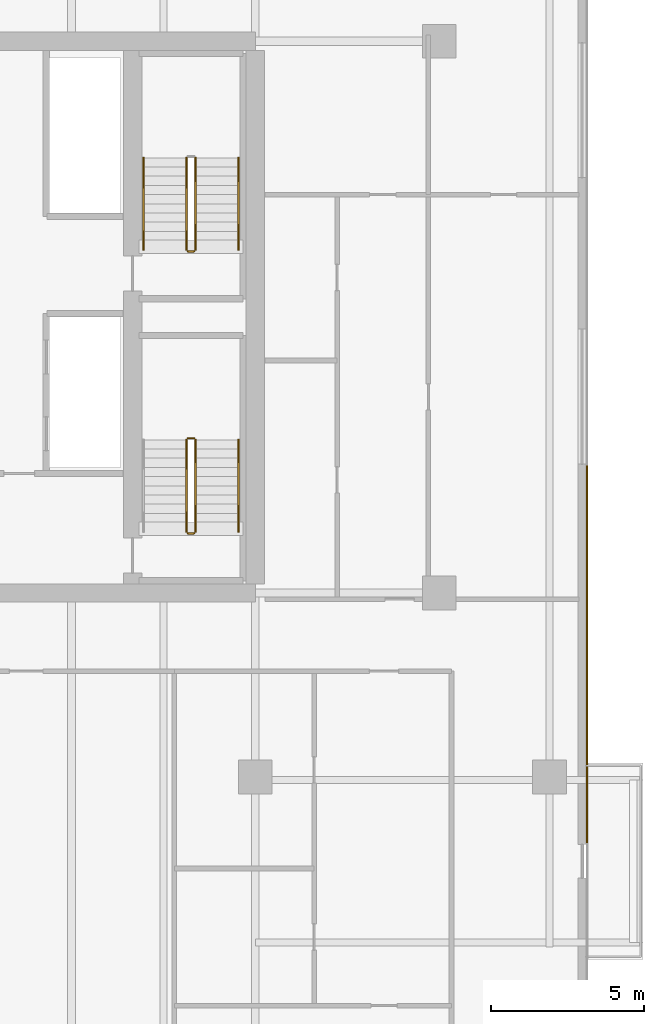
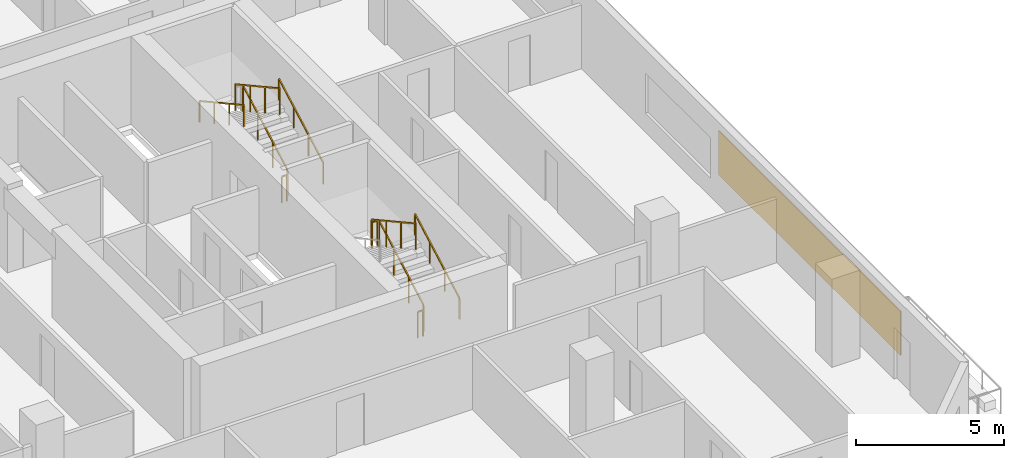
# One storey, part 24 of 26: 10 railings, 1 covering.
"""IFC4 building model written with IfcOpenShell, lengths in metres."""

from ifc_helpers import new_model, si_unit, direction, frame, origin, origin_2d, place, context, subcontext, project, spatial, rectangle, extrude, material, layer, layer_set, type_object, element, save


model = new_model("IFC4")

# Units and contexts
model_context = context("Model", 3, precision=1e-05, world=origin(), true_north=direction((0.0, 1.0)))
body_context = subcontext(model_context, "Body", "Model", "MODEL_VIEW")
ifc_project = project(units=[si_unit("LENGTHUNIT", "METRE"), si_unit("AREAUNIT", "SQUARE_METRE"), si_unit("VOLUMEUNIT", "CUBIC_METRE"), si_unit("PLANEANGLEUNIT", "RADIAN"), si_unit("MASSUNIT", "GRAM", prefix="KILO")], contexts=[model_context])

# Site, building, storey
site_placement = place(None, origin())
site = spatial("IfcSite", under=ifc_project, at=site_placement, CompositionType="ELEMENT")
building_placement = place(site_placement, origin())
building = spatial("IfcBuilding", under=site, at=building_placement, Name="Tanjung Sevakor Pilgrim Tower", CompositionType="ELEMENT")
storey_placement = place(building_placement, frame((0.0, 0.0, 66.0)))
storey = spatial("IfcBuildingStorey", under=building, at=storey_placement, Name="L18", CompositionType="ELEMENT", Elevation=66.0)

# Covering
ifc_material_1 = material(Name="Reconstructed Limestone Cladding", Category="masonry")
ifc_layer = layer(ifc_material_1, 0.044921875)
ifc_layer_set = layer_set([ifc_layer], Name="COV-CLAD-LIMESTONE")
covering_type = type_object("IfcCoveringType", Name="COV-CLAD-LIMESTONE", PredefinedType="CLADDING", material=ifc_layer_set)
covering_placement = place(storey_placement, frame((100.822509765625, 22.60498046875, 0.849853515625), z_axis=(0.0, 0.0, 1.0), x_axis=(0.0, 1.0, 0.0)))
element("IfcCovering", 1, at=covering_placement, inside=storey, type_object=covering_type, Name="L18 Warm Limestone Pier Panel EW-L18-MAIN-7-1", PredefinedType="CLADDING", context=body_context, shape_type="SweptSolid", body=[
    extrude(rectangle(XDim=12.31005859375, YDim=0.044921875, at=origin_2d()), origin(), (0.0, 0.0, 1.0), 1.81005859375),
])

# Railings
ifc_material_2 = material(Name="Steel S355J2", Category="steel")
railing_type_1 = type_object("IfcRailingType", Name="RL-STAIR-GUARD", PredefinedType="GUARDRAIL", material=ifc_material_2)
railing_1_placement = place(storey_placement, frame((88.050048828125, 26.60009765625, 0.1650390625)))
element("IfcRailing", 2, at=railing_1_placement, inside=storey, type_object=railing_type_1, Name="L18 TS-E1 stair guard 1", PredefinedType="GUARDRAIL", context=body_context, shape_type="SweptSolid", body=[
    extrude(rectangle(XDim=0.0479, YDim=0.0479), frame((0.0, 0.0, 1.076171875), z_axis=(0.0, 0.876227952683, 0.48189685093), x_axis=(-1.0, 0.0, 0.0)), (0.0, 0.0, 1.0), 3.423828125),
    extrude(rectangle(XDim=0.042, YDim=0.042), origin(), (0.0, 0.0, 1.0), 1.052001953125),
    extrude(rectangle(XDim=0.042, YDim=0.042), frame((0.0, 1.0, 0.550048828125)), (0.0, 0.0, 1.0), 1.052001953125),
    extrude(rectangle(XDim=0.042, YDim=0.042), frame((0.0, 2.0, 1.099853515625)), (0.0, 0.0, 1.0), 1.052001953125),
    extrude(rectangle(XDim=0.042, YDim=0.042), frame((0.0, 3.0, 1.64990234375)), (0.0, 0.0, 1.0), 1.052001953125),
])
railing_2_placement = place(storey_placement, frame((88.0, 29.64990234375, 1.81494140625)))
element("IfcRailing", 3, at=railing_2_placement, inside=storey, type_object=railing_type_1, Name="L18 TS-E1 stair guard 2", PredefinedType="GUARDRAIL", context=body_context, shape_type="SweptSolid", body=[
    extrude(rectangle(XDim=0.0479, YDim=0.0479), frame((0.0, 0.0, 1.076171875), z_axis=(-1.0, 0.0, 0.0), x_axis=(0.0, -1.0, 0.0)), (0.0, 0.0, 1.0), 0.199951171875),
    extrude(rectangle(XDim=0.042, YDim=0.042), origin(), (0.0, 0.0, 1.0), 1.052001953125),
    extrude(rectangle(XDim=0.042, YDim=0.042), frame((-0.199951171875, 0.0, 0.0)), (0.0, 0.0, 1.0), 1.052001953125),
])
railing_3_placement = place(storey_placement, frame((87.75, 29.60009765625, 1.97998046875)))
element("IfcRailing", 4, at=railing_3_placement, inside=storey, type_object=railing_type_1, Name="L18 TS-E1 stair guard 3", PredefinedType="GUARDRAIL", context=body_context, shape_type="SweptSolid", body=[
    extrude(rectangle(XDim=0.0479, YDim=0.0479), frame((0.0, 0.0, 1.076171875), z_axis=(0.0, -0.876227952683, 0.48189685093), x_axis=(1.0, 0.0, 0.0)), (0.0, 0.0, 1.0), 3.423828125),
    extrude(rectangle(XDim=0.042, YDim=0.042), origin(), (0.0, 0.0, 1.0), 1.052001953125),
    extrude(rectangle(XDim=0.042, YDim=0.042), frame((0.0, -1.0, 0.550048828125)), (0.0, 0.0, 1.0), 1.052001953125),
    extrude(rectangle(XDim=0.042, YDim=0.042), frame((0.0, -2.0, 1.099853515625)), (0.0, 0.0, 1.0), 1.052001953125),
    extrude(rectangle(XDim=0.042, YDim=0.042), frame((0.0, -3.0, 1.64990234375)), (0.0, 0.0, 1.0), 1.052001953125),
])
railing_4_placement = place(storey_placement, frame((88.0, 26.550048828125, 0.0)))
element("IfcRailing", 5, at=railing_4_placement, inside=storey, type_object=railing_type_1, Name="L18 TS-E1 stair guard 4", PredefinedType="GUARDRAIL", context=body_context, shape_type="SweptSolid", body=[
    extrude(rectangle(XDim=0.0479, YDim=0.0479), frame((0.0, 0.0, 1.076171875), z_axis=(-1.0, 0.0, 0.0), x_axis=(0.0, -1.0, 0.0)), (0.0, 0.0, 1.0), 0.199951171875),
    extrude(rectangle(XDim=0.042, YDim=0.042), origin(), (0.0, 0.0, 1.0), 1.052001953125),
    extrude(rectangle(XDim=0.042, YDim=0.042), frame((-0.199951171875, 0.0, 0.0)), (0.0, 0.0, 1.0), 1.052001953125),
])
railing_5_placement = place(storey_placement, frame((88.050048828125, 35.800048828125, 0.1650390625)))
element("IfcRailing", 6, at=railing_5_placement, inside=storey, type_object=railing_type_1, Name="L18 TS-E2 stair guard 1", PredefinedType="GUARDRAIL", context=body_context, shape_type="SweptSolid", body=[
    extrude(rectangle(XDim=0.0479, YDim=0.0479), frame((0.0, 0.0, 1.076171875), z_axis=(0.0, 0.876227952683, 0.48189685093), x_axis=(-1.0, 0.0, 0.0)), (0.0, 0.0, 1.0), 3.423828125),
    extrude(rectangle(XDim=0.042, YDim=0.042), origin(), (0.0, 0.0, 1.0), 1.052001953125),
    extrude(rectangle(XDim=0.042, YDim=0.042), frame((0.0, 1.0, 0.550048828125)), (0.0, 0.0, 1.0), 1.052001953125),
    extrude(rectangle(XDim=0.042, YDim=0.042), frame((0.0, 2.0, 1.099853515625)), (0.0, 0.0, 1.0), 1.052001953125),
    extrude(rectangle(XDim=0.042, YDim=0.042), frame((0.0, 3.0, 1.64990234375)), (0.0, 0.0, 1.0), 1.052001953125),
])
railing_6_placement = place(storey_placement, frame((87.75, 38.800048828125, 1.97998046875)))
element("IfcRailing", 7, at=railing_6_placement, inside=storey, type_object=railing_type_1, Name="L18 TS-E2 stair guard 3", PredefinedType="GUARDRAIL", context=body_context, shape_type="SweptSolid", body=[
    extrude(rectangle(XDim=0.0479, YDim=0.0479), frame((0.0, 0.0, 1.076171875), z_axis=(0.0, -0.876227952683, 0.48189685093), x_axis=(1.0, 0.0, 0.0)), (0.0, 0.0, 1.0), 3.423828125),
    extrude(rectangle(XDim=0.042, YDim=0.042), origin(), (0.0, 0.0, 1.0), 1.052001953125),
    extrude(rectangle(XDim=0.042, YDim=0.042), frame((0.0, -1.0, 0.550048828125)), (0.0, 0.0, 1.0), 1.052001953125),
    extrude(rectangle(XDim=0.042, YDim=0.042), frame((0.0, -2.0, 1.099853515625)), (0.0, 0.0, 1.0), 1.052001953125),
    extrude(rectangle(XDim=0.042, YDim=0.042), frame((0.0, -3.0, 1.64990234375)), (0.0, 0.0, 1.0), 1.052001953125),
])
railing_7_placement = place(storey_placement, frame((88.0, 35.75, 0.0)))
element("IfcRailing", 8, at=railing_7_placement, inside=storey, type_object=railing_type_1, Name="L18 TS-E2 stair guard 4", PredefinedType="GUARDRAIL", context=body_context, shape_type="SweptSolid", body=[
    extrude(rectangle(XDim=0.0479, YDim=0.0479), frame((0.0, 0.0, 1.076171875), z_axis=(-1.0, 0.0, 0.0), x_axis=(0.0, -1.0, 0.0)), (0.0, 0.0, 1.0), 0.199951171875),
    extrude(rectangle(XDim=0.042, YDim=0.042), origin(), (0.0, 0.0, 1.0), 1.052001953125),
    extrude(rectangle(XDim=0.042, YDim=0.042), frame((-0.199951171875, 0.0, 0.0)), (0.0, 0.0, 1.0), 1.052001953125),
])
ifc_material_3 = material(Name="Steel S355J2", Category="steel")
railing_type_2 = type_object("IfcRailingType", Name="RL-STAIR-HAND", PredefinedType="HANDRAIL", material=ifc_material_3)
for number, where, name in (
    (9, (89.449951171875, 26.60009765625, 0.1650390625), "L18 TS-E1 stair handrail 1"),
    (10, (89.449951171875, 35.800048828125, 0.1650390625), "L18 TS-E2 stair handrail 1"),
):
    element("IfcRailing", number, at=place(storey_placement, frame(where)), inside=storey, type_object=railing_type_2, Name=name, PredefinedType="HANDRAIL", context=body_context, shape_type="SweptSolid", body=[
        extrude(rectangle(XDim=0.0479, YDim=0.0479), frame((0.0, 0.0, 0.8759765625), z_axis=(0.0, 0.876227952683, 0.48189685093), x_axis=(-1.0, 0.0, 0.0)), (0.0, 0.0, 1.0), 3.423828125),
        extrude(rectangle(XDim=0.042, YDim=0.042), origin(), (0.0, 0.0, 1.0), 0.851806640625),
        extrude(rectangle(XDim=0.042, YDim=0.042), frame((0.0, 1.0, 0.550048828125)), (0.0, 0.0, 1.0), 0.851806640625),
        extrude(rectangle(XDim=0.042, YDim=0.042), frame((0.0, 2.0, 1.099853515625)), (0.0, 0.0, 1.0), 0.851806640625),
        extrude(rectangle(XDim=0.042, YDim=0.042), frame((0.0, 3.0, 1.64990234375)), (0.0, 0.0, 1.0), 0.851806640625),
    ])
railing_8_placement = place(storey_placement, frame((86.35009765625, 38.800048828125, 1.97998046875)))
element("IfcRailing", 11, at=railing_8_placement, inside=storey, type_object=railing_type_2, Name="L18 TS-E2 stair handrail 2", PredefinedType="HANDRAIL", context=body_context, shape_type="SweptSolid", body=[
    extrude(rectangle(XDim=0.0479, YDim=0.0479), frame((0.0, 0.0, 0.8759765625), z_axis=(0.0, -0.876227952683, 0.48189685093), x_axis=(1.0, 0.0, 0.0)), (0.0, 0.0, 1.0), 3.423828125),
    extrude(rectangle(XDim=0.042, YDim=0.042), origin(), (0.0, 0.0, 1.0), 0.851806640625),
    extrude(rectangle(XDim=0.042, YDim=0.042), frame((0.0, -1.0, 0.550048828125)), (0.0, 0.0, 1.0), 0.851806640625),
    extrude(rectangle(XDim=0.042, YDim=0.042), frame((0.0, -2.0, 1.099853515625)), (0.0, 0.0, 1.0), 0.851806640625),
    extrude(rectangle(XDim=0.042, YDim=0.042), frame((0.0, -3.0, 1.64990234375)), (0.0, 0.0, 1.0), 0.851806640625),
])

save(model, "model.ifc")
